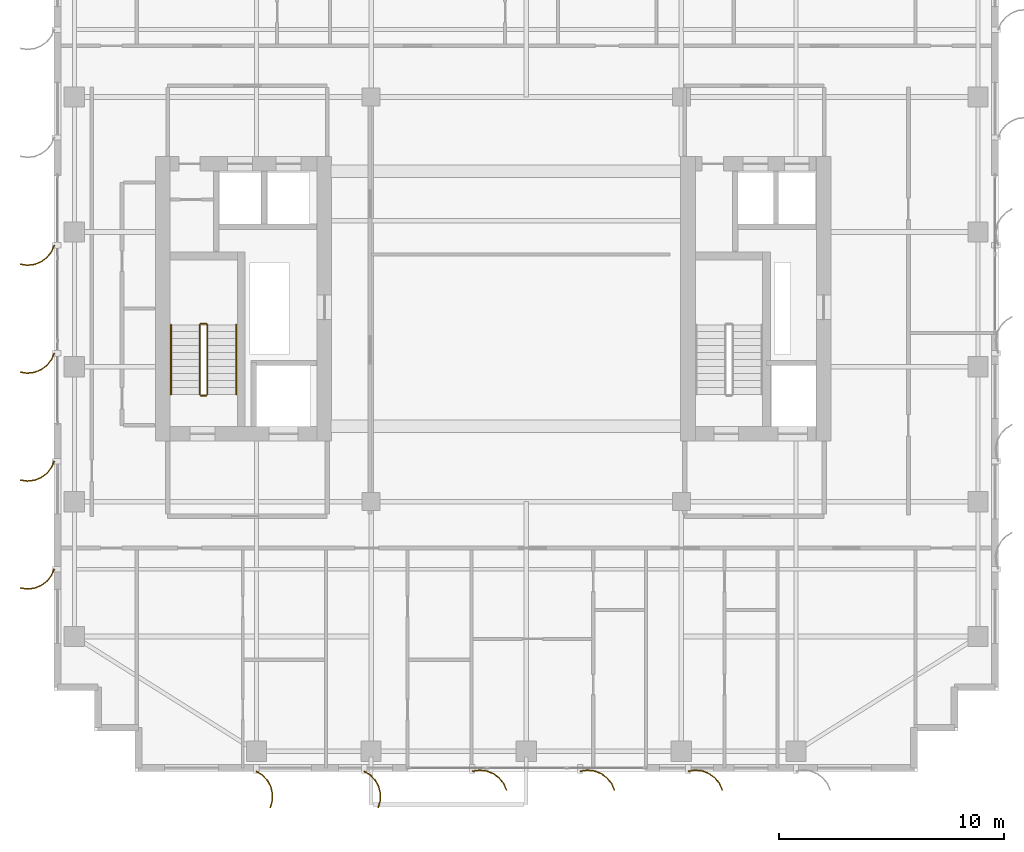
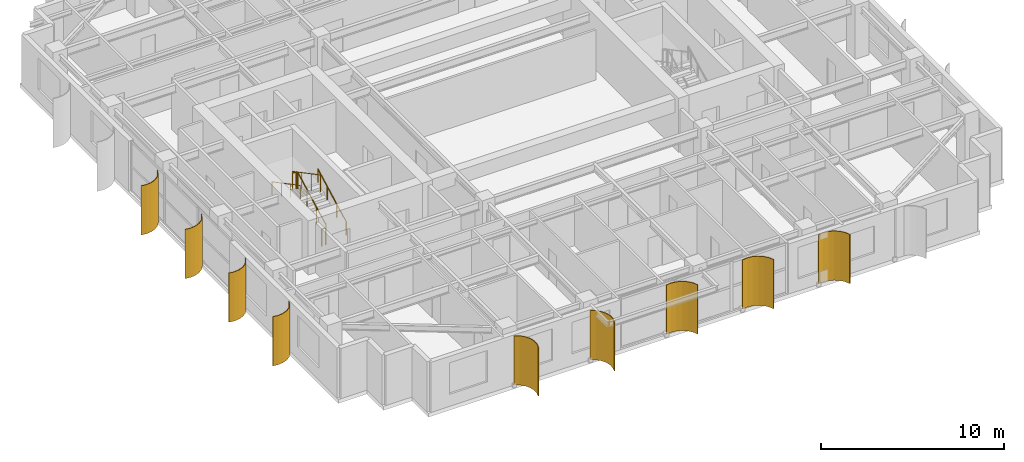
# One storey, part 21 of 23: 9 shading devices, 6 railings.
"""IFC4 building model written with IfcOpenShell, lengths in metres."""

from ifc_helpers import new_model, si_unit, direction, frame, origin, origin_2d, place, context, subcontext, project, spatial, polyline, circle, outline, extrude, source, transform, mapped, material, layer, layer_set, type_object, element, save


model = new_model("IFC4")

# Units and contexts
model_context = context("Model", 3, precision=1e-05, world=origin(), true_north=direction((0.0, 1.0)))
body_context = subcontext(model_context, "Body", "Model", "MODEL_VIEW")
ifc_project = project(units=[si_unit("LENGTHUNIT", "METRE"), si_unit("AREAUNIT", "SQUARE_METRE"), si_unit("VOLUMEUNIT", "CUBIC_METRE"), si_unit("PLANEANGLEUNIT", "RADIAN"), si_unit("MASSUNIT", "GRAM", prefix="KILO")], contexts=[model_context])

# Site, building, storey
site_placement = place(None, origin())
site = spatial("IfcSite", under=ifc_project, at=site_placement, CompositionType="ELEMENT")
building_placement = place(site_placement, origin())
building = spatial("IfcBuilding", under=site, at=building_placement, Name="Khoralis Quay Care Tower", CompositionType="ELEMENT")
storey_placement = place(building_placement, frame((0.0, 0.0, 173.699951171875)))
storey = spatial("IfcBuildingStorey", under=building, at=storey_placement, Name="L45", CompositionType="ELEMENT", Elevation=173.699951171875)

# Railings
ifc_material_1 = material(Name="Brushed stainless steel", Category="steel")
railing_type_1 = type_object("IfcRailingType", Name="RL-GUARD-1150", PredefinedType="GUARDRAIL", material=ifc_material_1)
railing_1_placement = place(storey_placement, frame((9.820068359375, 16.77001953125, 0.16357421875)))
element("IfcRailing", 1, at=railing_1_placement, inside=storey, type_object=railing_type_1, Name="L45 ST-T1 stair guard 1", PredefinedType="GUARDRAIL", context=body_context, shape_type="SweptSolid", body=[
    extrude(circle(Radius=0.02392578125, at=origin_2d()), frame((0.0, 0.0, 1.1259765625), z_axis=(0.0, 0.884348015382, 0.466828220752), x_axis=(-1.0, 0.0, 0.0)), (0.0, 0.0, 1.0), 3.505615234375),
    extrude(circle(Radius=0.02099609375, at=origin_2d()), origin(), (0.0, 0.0, 1.0), 1.101806640625),
    extrude(circle(Radius=0.02099609375, at=origin_2d()), frame((0.0, 1.033447265625, 0.54541015625)), (0.0, 0.0, 1.0), 1.101806640625),
    extrude(circle(Radius=0.02099609375, at=origin_2d()), frame((0.0, 2.066650390625, 1.091064453125)), (0.0, 0.0, 1.0), 1.101806640625),
    extrude(circle(Radius=0.02099609375, at=origin_2d()), frame((0.0, 3.10009765625, 1.636474609375)), (0.0, 0.0, 1.0), 1.101806640625),
])
railing_2_placement = place(storey_placement, frame((9.77001953125, 19.919921875, 1.800048828125)))
element("IfcRailing", 2, at=railing_2_placement, inside=storey, type_object=railing_type_1, Name="L45 ST-T1 stair guard 2", PredefinedType="GUARDRAIL", context=body_context, shape_type="SweptSolid", body=[
    extrude(circle(Radius=0.02392578125, at=origin_2d()), frame((0.0, 0.0, 1.1259765625), z_axis=(-1.0, 0.0, 0.0), x_axis=(0.0, -1.0, 0.0)), (0.0, 0.0, 1.0), 0.239990234375),
    extrude(circle(Radius=0.02099609375, at=origin_2d()), origin(), (0.0, 0.0, 1.0), 1.101806640625),
    extrude(circle(Radius=0.02099609375, at=origin_2d()), frame((-0.239990234375, 0.0, 0.0)), (0.0, 0.0, 1.0), 1.101806640625),
])
railing_3_placement = place(storey_placement, frame((9.47998046875, 19.8701171875, 1.963623046875)))
element("IfcRailing", 3, at=railing_3_placement, inside=storey, type_object=railing_type_1, Name="L45 ST-T1 stair guard 3", PredefinedType="GUARDRAIL", context=body_context, shape_type="SweptSolid", body=[
    extrude(circle(Radius=0.02392578125, at=origin_2d()), frame((0.0, 0.0, 1.1259765625), z_axis=(0.0, -0.884348015382, 0.466828220752), x_axis=(1.0, 0.0, 0.0)), (0.0, 0.0, 1.0), 3.505615234375),
    extrude(circle(Radius=0.02099609375, at=origin_2d()), origin(), (0.0, 0.0, 1.0), 1.101806640625),
    extrude(circle(Radius=0.02099609375, at=origin_2d()), frame((0.0, -1.033447265625, 0.54541015625)), (0.0, 0.0, 1.0), 1.101806640625),
    extrude(circle(Radius=0.02099609375, at=origin_2d()), frame((0.0, -2.066650390625, 1.091064453125)), (0.0, 0.0, 1.0), 1.101806640625),
    extrude(circle(Radius=0.02099609375, at=origin_2d()), frame((0.0, -3.10009765625, 1.636474609375)), (0.0, 0.0, 1.0), 1.101806640625),
])
railing_4_placement = place(storey_placement, frame((9.77001953125, 16.719970703125, 0.0)))
element("IfcRailing", 4, at=railing_4_placement, inside=storey, type_object=railing_type_1, Name="L45 ST-T1 stair guard 4", PredefinedType="GUARDRAIL", context=body_context, shape_type="SweptSolid", body=[
    extrude(circle(Radius=0.02392578125, at=origin_2d()), frame((0.0, 0.0, 1.1259765625), z_axis=(-1.0, 0.0, 0.0), x_axis=(0.0, -1.0, 0.0)), (0.0, 0.0, 1.0), 0.239990234375),
    extrude(circle(Radius=0.02099609375, at=origin_2d()), origin(), (0.0, 0.0, 1.0), 1.101806640625),
    extrude(circle(Radius=0.02099609375, at=origin_2d()), frame((-0.239990234375, 0.0, 0.0)), (0.0, 0.0, 1.0), 1.101806640625),
])
railing_type_2 = type_object("IfcRailingType", Name="RL-HAND-900", PredefinedType="HANDRAIL", material=ifc_material_1)
railing_5_placement = place(storey_placement, frame((11.10009765625, 16.77001953125, 0.16357421875)))
element("IfcRailing", 5, at=railing_5_placement, inside=storey, type_object=railing_type_2, Name="L45 ST-T1 stair handrail 1", PredefinedType="HANDRAIL", context=body_context, shape_type="SweptSolid", body=[
    extrude(circle(Radius=0.02392578125, at=origin_2d()), frame((0.0, 0.0, 0.8759765625), z_axis=(0.0, 0.884348015382, 0.466828220752), x_axis=(-1.0, 0.0, 0.0)), (0.0, 0.0, 1.0), 3.505615234375),
    extrude(circle(Radius=0.02099609375, at=origin_2d()), origin(), (0.0, 0.0, 1.0), 0.851806640625),
    extrude(circle(Radius=0.02099609375, at=origin_2d()), frame((0.0, 1.033447265625, 0.54541015625)), (0.0, 0.0, 1.0), 0.851806640625),
    extrude(circle(Radius=0.02099609375, at=origin_2d()), frame((0.0, 2.066650390625, 1.091064453125)), (0.0, 0.0, 1.0), 0.851806640625),
    extrude(circle(Radius=0.02099609375, at=origin_2d()), frame((0.0, 3.10009765625, 1.636474609375)), (0.0, 0.0, 1.0), 0.851806640625),
])
railing_6_placement = place(storey_placement, frame((8.199951171875, 19.8701171875, 1.963623046875)))
element("IfcRailing", 6, at=railing_6_placement, inside=storey, type_object=railing_type_2, Name="L45 ST-T1 stair handrail 2", PredefinedType="HANDRAIL", context=body_context, shape_type="SweptSolid", body=[
    extrude(circle(Radius=0.02392578125, at=origin_2d()), frame((0.0, 0.0, 0.8759765625), z_axis=(0.0, -0.884348015382, 0.466828220752), x_axis=(1.0, 0.0, 0.0)), (0.0, 0.0, 1.0), 3.505615234375),
    extrude(circle(Radius=0.02099609375, at=origin_2d()), origin(), (0.0, 0.0, 1.0), 0.851806640625),
    extrude(circle(Radius=0.02099609375, at=origin_2d()), frame((0.0, -1.033447265625, 0.54541015625)), (0.0, 0.0, 1.0), 0.851806640625),
    extrude(circle(Radius=0.02099609375, at=origin_2d()), frame((0.0, -2.066650390625, 1.091064453125)), (0.0, 0.0, 1.0), 0.851806640625),
    extrude(circle(Radius=0.02099609375, at=origin_2d()), frame((0.0, -3.10009765625, 1.636474609375)), (0.0, 0.0, 1.0), 0.851806640625),
])

# Shading devices
ifc_material_2 = material(Name="Brushed pale anodised aluminium", Category="aluminium")
ifc_layer = layer(ifc_material_2, 0.044921875)
ifc_layer_set = layer_set([ifc_layer], Name="Brushed pale anodised aluminium")
shading_device_type = type_object("IfcShadingDeviceType", Name="SHD-FIN-1250", PredefinedType="USERDEFINED", material=ifc_layer_set)
shared_shape_1 = source(origin(), body_context, "Body", "SweptSolid", [
    extrude(outline(polyline([(0.0, 0.0), (0.17041015625, 0.2783203125), (0.4072265625, 0.5029296875), (0.694091796875, 0.658447265625), (1.01123046875, 0.734619140625), (1.33740234375, 0.72607421875), (1.650390625, 0.633544921875), (1.632080078125, 0.59228515625), (1.330322265625, 0.681640625), (1.015869140625, 0.68994140625), (0.710205078125, 0.616455078125), (0.43359375, 0.466552734375), (0.20556640625, 0.25), (0.041015625, -0.018310546875), (0.0, 0.0)])), origin(), (0.0, 0.0, 1.0), 3.280029296875),
])
for number, where, z_axis, x_axis, name in (
    (7, (12.0, 0.030029296875, 0.02001953125), (0.0, 0.0, 1.0), (0.0, -1.0, 0.0), "L45 Curved Solar Fin P1E0-01"),
    (8, (16.800048828125, 0.030029296875, 0.02001953125), (0.0, 0.0, 1.0), (0.0, -1.0, 0.0), "L45 Curved Solar Fin P1E0-02"),
):
    element("IfcShadingDevice", number, at=place(storey_placement, frame(where, z_axis=z_axis, x_axis=x_axis)), inside=storey, type_object=shading_device_type, Name=name, ObjectType="FIN", PredefinedType="USERDEFINED", context=body_context, shape_type="MappedRepresentation", body=[
        mapped(shared_shape_1, transform((0.0, 0.0, 0.0), scale=1.0)),
    ])
shared_shape_2 = source(origin(), body_context, "Body", "SweptSolid", [
    extrude(outline(polyline([(0.0, 0.0), (-0.04833984375, 0.32275390625), (-0.01123046875, 0.64697265625), (0.1083984375, 0.950439453125), (0.302490234375, 1.212890625), (0.557861328125, 1.416015625), (0.85693359375, 1.546142578125), (0.869384765625, 1.5029296875), (0.5810546875, 1.37744140625), (0.334716796875, 1.181640625), (0.147705078125, 0.9287109375), (0.032470703125, 0.635986328125), (-0.003173828125, 0.323486328125), (0.043212890625, 0.012451171875), (0.0, 0.0)])), origin(), (0.0, 0.0, 1.0), 3.280029296875),
])
for number, where, z_axis, x_axis, name in (
    (9, (21.60009765625, 0.030029296875, 0.02001953125), (0.0, 0.0, 1.0), (0.0, -1.0, 0.0), "L45 Curved Solar Fin P1E0-03"),
    (10, (26.39990234375, 0.030029296875, 0.02001953125), (0.0, 0.0, 1.0), (0.0, -1.0, 0.0), "L45 Curved Solar Fin P1E0-04"),
    (11, (31.199951171875, 0.030029296875, 0.02001953125), (0.0, 0.0, 1.0), (0.0, -1.0, 0.0), "L45 Curved Solar Fin P1E0-05"),
):
    element("IfcShadingDevice", number, at=place(storey_placement, frame(where, z_axis=z_axis, x_axis=x_axis)), inside=storey, type_object=shading_device_type, Name=name, ObjectType="FIN", PredefinedType="USERDEFINED", context=body_context, shape_type="MappedRepresentation", body=[
        mapped(shared_shape_2, transform((0.0, 0.0, 0.0), scale=1.0)),
    ])
shared_shape_3 = source(origin(), body_context, "Body", "SweptSolid", [
    extrude(outline(polyline([(0.0, 0.0), (0.130126953125, 0.29931640625), (0.333251953125, 0.5546875), (0.595458984375, 0.748779296875), (0.899169921875, 0.868408203125), (1.223388671875, 0.9052734375), (1.546142578125, 0.85693359375), (1.53369140625, 0.813720703125), (1.22265625, 0.8603515625), (0.91015625, 0.82470703125), (0.617431640625, 0.70947265625), (0.364501953125, 0.522216796875), (0.168701171875, 0.276123046875), (0.043212890625, -0.012451171875), (0.0, 0.0)])), origin(), (0.0, 0.0, 1.0), 3.280029296875),
])
for number, where, z_axis, x_axis, name in (
    (12, (3.030029296875, 23.39990234375, 0.02001953125), (0.0, 0.0, 1.0), (-1.0, 0.0, 0.0), "L45 Curved Solar Fin P1E15-03"),
    (13, (3.030029296875, 18.60009765625, 0.02001953125), (0.0, 0.0, 1.0), (-1.0, 0.0, 0.0), "L45 Curved Solar Fin P1E15-04"),
    (14, (3.030029296875, 13.800048828125, 0.02001953125), (0.0, 0.0, 1.0), (-1.0, 0.0, 0.0), "L45 Curved Solar Fin P1E15-05"),
    (15, (3.030029296875, 9.0, 0.02001953125), (0.0, 0.0, 1.0), (-1.0, 0.0, 0.0), "L45 Curved Solar Fin P1E15-06"),
):
    element("IfcShadingDevice", number, at=place(storey_placement, frame(where, z_axis=z_axis, x_axis=x_axis)), inside=storey, type_object=shading_device_type, Name=name, ObjectType="FIN", PredefinedType="USERDEFINED", context=body_context, shape_type="MappedRepresentation", body=[
        mapped(shared_shape_3, transform((0.0, 0.0, 0.0), scale=1.0)),
    ])

save(model, "model.ifc")
